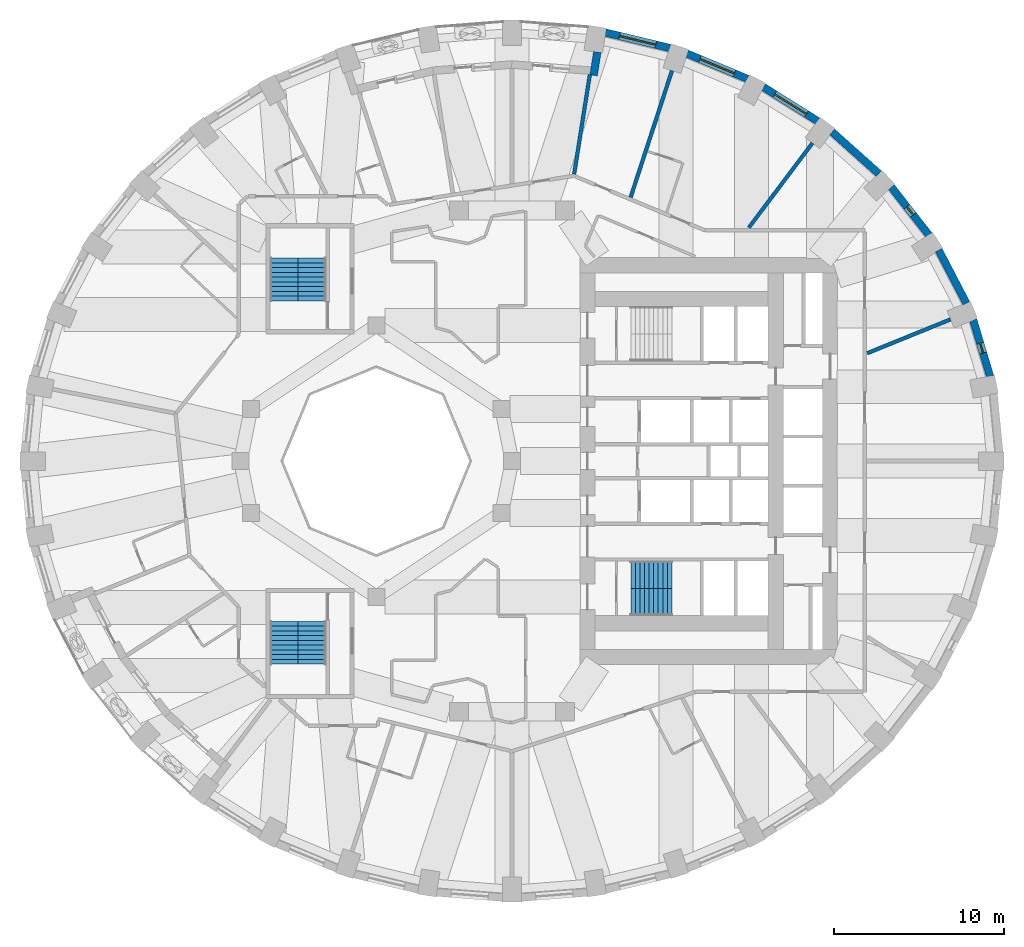
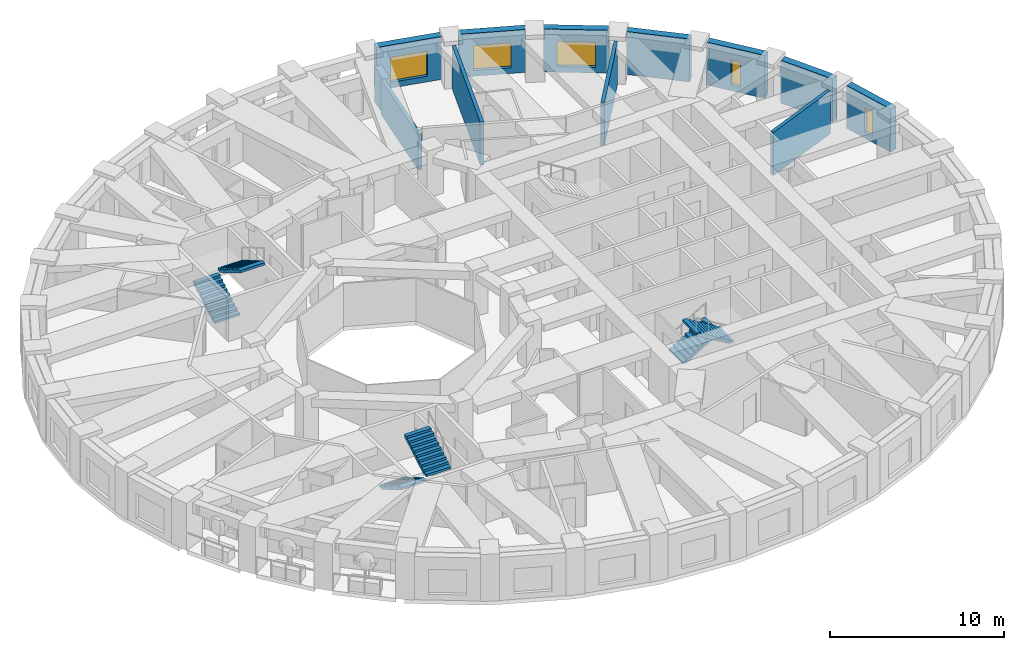
# One storey, part 9 of 13: 12 walls, 6 stair flights, 5 windows, 5 openings, 3 elements without a shape of their own.
"""IFC4 building model written with IfcOpenShell, lengths in metres."""

from ifc_helpers import new_model, si_unit, direction, frame, frame_2d, origin, place, context, subcontext, project, spatial, polyline, rectangle, outline, extrude, material, layer, layer_set, type_object, element, fill, aggregate, save


model = new_model("IFC4")

# Units and contexts
model_context = context("Model", 3, precision=1e-05, world=origin(), true_north=direction((0.0, 1.0)))
body_context = subcontext(model_context, "Body", "Model", "MODEL_VIEW")
ifc_project = project(units=[si_unit("LENGTHUNIT", "METRE"), si_unit("AREAUNIT", "SQUARE_METRE"), si_unit("VOLUMEUNIT", "CUBIC_METRE"), si_unit("PLANEANGLEUNIT", "RADIAN"), si_unit("MASSUNIT", "GRAM", prefix="KILO")], contexts=[model_context])

# Site, building, storey
site_placement = place(None, origin())
site = spatial("IfcSite", under=ifc_project, at=site_placement, CompositionType="ELEMENT")
building_placement = place(site_placement, origin())
building = spatial("IfcBuilding", under=site, at=building_placement, Name="Taillehof Tower", CompositionType="ELEMENT")
storey_placement = place(building_placement, frame((0.0, 0.0, 51.39990234375)))
storey = spatial("IfcBuildingStorey", under=building, at=storey_placement, Name="L13", CompositionType="ELEMENT", Elevation=51.39990234375)

# Wall, opening, window
ifc_material_1 = material(Name="Brick masonry", Category="masonry")
ifc_layer_1 = layer(ifc_material_1, 0.449951171875)
ifc_layer_set_1 = layer_set([ifc_layer_1], Name="Brick infill wall 450")
wall_type_1 = type_object("IfcWallType", Name="Brick infill wall 450", PredefinedType="SOLIDWALL", material=ifc_layer_set_1)
wall_1_placement = place(storey_placement, frame((28.181884765625, 4.995849609375, 0.0), z_axis=(0.0, 0.0, 1.0), x_axis=(-0.287064133733, 0.957911364963, 0.0)))
wall_1 = element("IfcWall", 1, at=wall_1_placement, inside=storey, type_object=wall_type_1, Name="Brick wall L13 bay 2", PredefinedType="SOLIDWALL", context=body_context, shape_type="SweptSolid", body=[
    extrude(rectangle(XDim=3.473388671875, YDim=0.449951171875, at=frame_2d((1.73681640625, 0.0))), origin(), (0.0, 0.0, 1.0), 3.02001953125),
])
opening_1_placement = place(wall_1_placement, frame((1.436767578125, 0.0, 0.39990234375)))
opening_1 = element("IfcOpeningElement", 2, at=opening_1_placement, cuts=wall_1, Name="Opening W6", PredefinedType="OPENING", context=body_context, shape_type="SweptSolid", body=[
    extrude(rectangle(XDim=0.60009765625, YDim=1.75, at=frame_2d((0.300048828125, 0.875))), frame((0.0, 0.23486328125, 0.0), z_axis=(0.0, -1.0, 0.0), x_axis=(1.0, 0.0, 0.0)), (0.0, 0.0, 1.0), 0.469970703125),
])
ifc_material_2 = material(Name="Aluminium window frame with clear double glazing", Category="aluminium")
window_type_1 = type_object("IfcWindowType", Name="Slot window 600x1750", PartitioningType="SINGLE_PANEL", PredefinedType="WINDOW", material=ifc_material_2)
window_1_placement = place(opening_1_placement, origin())
window_1 = element("IfcWindow", 3, at=window_1_placement, inside=storey, type_object=window_type_1, Name="W6", OverallHeight=1.75, OverallWidth=0.60009765625, PartitioningType="SINGLE_PANEL", PredefinedType="WINDOW", context=body_context, shape_type="SweptSolid", body=[
    extrude(rectangle(XDim=0.60009765625, YDim=1.75, at=frame_2d((0.300048828125, 0.875))), frame((0.0, 0.034912109375, 0.0), z_axis=(0.0, -1.0, 0.0), x_axis=(1.0, 0.0, 0.0)), (0.0, 0.0, 1.0), 0.06005859375),
])
fill(opening_1, window_1)

# Wall
wall_2_placement = place(storey_placement, frame((26.78564453125, 9.30517578125, 0.0), z_axis=(0.0, 0.0, 1.0), x_axis=(-0.462492775226, 0.886623050041, 0.0)))
element("IfcWall", 4, at=wall_2_placement, inside=storey, type_object=wall_type_1, Name="Brick wall L13 bay 3", PredefinedType="SOLIDWALL", context=body_context, shape_type="SweptSolid", body=[
    extrude(rectangle(XDim=3.531982421875, YDim=0.449951171875, at=frame_2d((1.76611328125, 0.0))), origin(), (0.0, 0.0, 1.0), 3.02001953125),
])

# Wall, opening, window
wall_3_placement = place(storey_placement, frame((24.57763671875, 13.327880859375, 0.0), z_axis=(0.0, 0.0, 1.0), x_axis=(-0.616661975264, 0.787228053529, 0.0)))
wall_3 = element("IfcWall", 5, at=wall_3_placement, inside=storey, type_object=wall_type_1, Name="Brick wall L13 bay 4", PredefinedType="SOLIDWALL", context=body_context, shape_type="SweptSolid", body=[
    extrude(rectangle(XDim=3.60986328125, YDim=0.449951171875, at=frame_2d((1.804931640625, 0.0))), origin(), (0.0, 0.0, 1.0), 3.02001953125),
])
opening_2_placement = place(wall_3_placement, frame((1.5048828125, 0.0, 0.39990234375)))
opening_2 = element("IfcOpeningElement", 6, at=opening_2_placement, cuts=wall_3, Name="Opening W6", PredefinedType="OPENING", context=body_context, shape_type="SweptSolid", body=[
    extrude(rectangle(XDim=0.60009765625, YDim=1.75, at=frame_2d((0.300048828125, 0.875))), frame((0.0, 0.23486328125, 0.0), z_axis=(0.0, -1.0, 0.0), x_axis=(1.0, 0.0, 0.0)), (0.0, 0.0, 1.0), 0.469970703125),
])
window_2_placement = place(opening_2_placement, origin())
window_2 = element("IfcWindow", 7, at=window_2_placement, inside=storey, type_object=window_type_1, Name="W6", OverallHeight=1.75, OverallWidth=0.60009765625, PartitioningType="SINGLE_PANEL", PredefinedType="WINDOW", context=body_context, shape_type="SweptSolid", body=[
    extrude(rectangle(XDim=0.60009765625, YDim=1.75, at=frame_2d((0.300048828125, 0.875))), frame((0.0, 0.034912109375, 0.0), z_axis=(0.0, -1.0, 0.0), x_axis=(1.0, 0.0, 0.0)), (0.0, 0.0, 1.0), 0.06005859375),
])
fill(opening_2, window_2)

# Wall
wall_4_placement = place(storey_placement, frame((21.626708984375, 16.943115234375, 0.0), z_axis=(0.0, 0.0, 1.0), x_axis=(-0.745526233716, 0.66647628228, 0.0)))
element("IfcWall", 8, at=wall_4_placement, inside=storey, type_object=wall_type_1, Name="Brick wall L13 bay 5", PredefinedType="SOLIDWALL", context=body_context, shape_type="SweptSolid", body=[
    extrude(rectangle(XDim=3.69677734375, YDim=0.449951171875, at=frame_2d((1.848388671875, 0.0))), origin(), (0.0, 0.0, 1.0), 3.02001953125),
])

# Wall, opening, window
wall_5_placement = place(storey_placement, frame((18.02294921875, 20.043701171875, 0.0), z_axis=(0.0, 0.0, 1.0), x_axis=(-0.847635480093, 0.530579016629, 0.0)))
wall_5 = element("IfcWall", 9, at=wall_5_placement, inside=storey, type_object=wall_type_1, Name="Brick wall L13 bay 6", PredefinedType="SOLIDWALL", context=body_context, shape_type="SweptSolid", body=[
    extrude(rectangle(XDim=3.782470703125, YDim=0.449951171875, at=frame_2d((1.89111328125, 0.0))), origin(), (0.0, 0.0, 1.0), 3.02001953125),
])
opening_3_placement = place(wall_5_placement, frame((0.791259765625, 0.0, 0.39990234375)))
opening_3 = element("IfcOpeningElement", 10, at=opening_3_placement, cuts=wall_5, Name="Opening W1", PredefinedType="OPENING", context=body_context, shape_type="SweptSolid", body=[
    extrude(rectangle(XDim=2.199951171875, YDim=1.75, at=frame_2d((1.10009765625, 0.875))), frame((0.0, 0.23486328125, 0.0), z_axis=(0.0, -1.0, 0.0), x_axis=(1.0, 0.0, 0.0)), (0.0, 0.0, 1.0), 0.469970703125),
])
ifc_material_3 = material(Name="Aluminium window frame with clear double glazing", Category="aluminium")
window_type_2 = type_object("IfcWindowType", Name="Deep-set window 2200x1750", PartitioningType="SINGLE_PANEL", PredefinedType="WINDOW", material=ifc_material_3)
window_3_placement = place(opening_3_placement, origin())
window_3 = element("IfcWindow", 11, at=window_3_placement, inside=storey, type_object=window_type_2, Name="W1", OverallHeight=1.75, OverallWidth=2.199951171875, PartitioningType="SINGLE_PANEL", PredefinedType="WINDOW", context=body_context, shape_type="SweptSolid", body=[
    extrude(rectangle(XDim=2.199951171875, YDim=1.75, at=frame_2d((1.10009765625, 0.875))), frame((0.0, 0.034912109375, 0.0), z_axis=(0.0, -1.0, 0.0), x_axis=(1.0, 0.0, 0.0)), (0.0, 0.0, 1.0), 0.06005859375),
])
fill(opening_3, window_3)

wall_6_placement = place(storey_placement, frame((13.875, 22.537353515625, 0.0), z_axis=(0.0, 0.0, 1.0), x_axis=(-0.923031964282, 0.384723267966, 0.0)))
wall_6 = element("IfcWall", 12, at=wall_6_placement, inside=storey, type_object=wall_type_1, Name="Brick wall L13 bay 7", PredefinedType="SOLIDWALL", context=body_context, shape_type="SweptSolid", body=[
    extrude(rectangle(XDim=3.8564453125, YDim=0.449951171875, at=frame_2d((1.92822265625, 0.0))), origin(), (0.0, 0.0, 1.0), 3.02001953125),
])
opening_4_placement = place(wall_6_placement, frame((0.828125, 0.0, 0.39990234375)))
opening_4 = element("IfcOpeningElement", 13, at=opening_4_placement, cuts=wall_6, Name="Opening W1", PredefinedType="OPENING", context=body_context, shape_type="SweptSolid", body=[
    extrude(rectangle(XDim=2.199951171875, YDim=1.75, at=frame_2d((1.10009765625, 0.875))), frame((0.0, 0.23486328125, 0.0), z_axis=(0.0, -1.0, 0.0), x_axis=(1.0, 0.0, 0.0)), (0.0, 0.0, 1.0), 0.469970703125),
])
window_4_placement = place(opening_4_placement, origin())
window_4 = element("IfcWindow", 14, at=window_4_placement, inside=storey, type_object=window_type_2, Name="W1", OverallHeight=1.75, OverallWidth=2.199951171875, PartitioningType="SINGLE_PANEL", PredefinedType="WINDOW", context=body_context, shape_type="SweptSolid", body=[
    extrude(rectangle(XDim=2.199951171875, YDim=1.75, at=frame_2d((1.10009765625, 0.875))), frame((0.0, 0.034912109375, 0.0), z_axis=(0.0, -1.0, 0.0), x_axis=(1.0, 0.0, 0.0)), (0.0, 0.0, 1.0), 0.06005859375),
])
fill(opening_4, window_4)

wall_7_placement = place(storey_placement, frame((9.3076171875, 24.349609375, 0.0), z_axis=(0.0, 0.0, 1.0), x_axis=(-0.972496561493, 0.232917233979, 0.0)))
wall_7 = element("IfcWall", 15, at=wall_7_placement, inside=storey, type_object=wall_type_1, Name="Brick wall L13 bay 8", PredefinedType="SOLIDWALL", context=body_context, shape_type="SweptSolid", body=[
    extrude(rectangle(XDim=3.910888671875, YDim=0.449951171875, at=frame_2d((1.95556640625, 0.0))), origin(), (0.0, 0.0, 1.0), 3.02001953125),
])
opening_5_placement = place(wall_7_placement, frame((0.855224609375, 0.0, 0.39990234375)))
opening_5 = element("IfcOpeningElement", 16, at=opening_5_placement, cuts=wall_7, Name="Opening W1", PredefinedType="OPENING", context=body_context, shape_type="SweptSolid", body=[
    extrude(rectangle(XDim=2.199951171875, YDim=1.75, at=frame_2d((1.10009765625, 0.875))), frame((0.0, 0.23486328125, 0.0), z_axis=(0.0, -1.0, 0.0), x_axis=(1.0, 0.0, 0.0)), (0.0, 0.0, 1.0), 0.469970703125),
])
window_5_placement = place(opening_5_placement, origin())
window_5 = element("IfcWindow", 17, at=window_5_placement, inside=storey, type_object=window_type_2, Name="W1", OverallHeight=1.75, OverallWidth=2.199951171875, PartitioningType="SINGLE_PANEL", PredefinedType="WINDOW", context=body_context, shape_type="SweptSolid", body=[
    extrude(rectangle(XDim=2.199951171875, YDim=1.75, at=frame_2d((1.10009765625, 0.875))), frame((0.0, 0.034912109375, 0.0), z_axis=(0.0, -1.0, 0.0), x_axis=(1.0, 0.0, 0.0)), (0.0, 0.0, 1.0), 0.06005859375),
])
fill(opening_5, window_5)

# Walls
wall_8_placement = place(storey_placement, frame((5.02685546875, 24.108154296875, 0.0), z_axis=(0.0, 0.0, 1.0), x_axis=(-0.156133927791, -0.98773589415, 0.0)))
element("IfcWall", 18, at=wall_8_placement, inside=storey, type_object=wall_type_1, Name="Brick reveal L13 pocket 2", PredefinedType="SOLIDWALL", context=body_context, shape_type="SweptSolid", body=[
    extrude(rectangle(XDim=1.39013671875, YDim=0.449951171875, at=frame_2d((0.695068359375, 0.0))), origin(), (0.0, 0.0, 1.0), 2.47021484375),
])
ifc_material_4 = material(Name="Gypsum board on double steel studs with mineral wool", Category="steel")
ifc_layer_2 = layer(ifc_material_4, 0.219970703125)
ifc_layer_set_2 = layer_set([ifc_layer_2], Name="Compartment wall guest room 220")
wall_type_2 = type_object("IfcWallType", Name="Compartment wall guest room 220", PredefinedType="PARTITIONING", material=ifc_layer_set_2)
wall_9_placement = place(storey_placement, frame((25.851318359375, 8.35400390625, 0.0), z_axis=(0.0, 0.0, 1.0), x_axis=(-0.926546814299, -0.376179479653, 0.0)))
element("IfcWall", 19, at=wall_9_placement, inside=storey, type_object=wall_type_2, Name="Compartment wall", PredefinedType="PARTITIONING", context=body_context, shape_type="SweptSolid", body=[
    extrude(rectangle(XDim=5.3037109375, YDim=0.219970703125, at=frame_2d((2.65185546875, 0.0))), origin(), (0.0, 0.0, 1.0), 3.02001953125),
])
wall_10_placement = place(storey_placement, frame((17.707763671875, 18.7431640625, 0.0), z_axis=(0.0, 0.0, 1.0), x_axis=(-0.601177883261, -0.799115231164, 0.0)))
element("IfcWall", 20, at=wall_10_placement, inside=storey, type_object=wall_type_2, Name="Compartment wall", PredefinedType="PARTITIONING", context=body_context, shape_type="SweptSolid", body=[
    extrude(rectangle(XDim=6.231201171875, YDim=0.219970703125, at=frame_2d((3.11572265625, 0.0))), origin(), (0.0, 0.0, 1.0), 3.02001953125),
])
wall_11_placement = place(storey_placement, frame((9.429443359375, 23.01416015625, 0.0), z_axis=(0.0, 0.0, 1.0), x_axis=(-0.310230839568, -0.950661257326, 0.0)))
element("IfcWall", 21, at=wall_11_placement, inside=storey, type_object=wall_type_2, Name="Compartment wall", PredefinedType="PARTITIONING", context=body_context, shape_type="SweptSolid", body=[
    extrude(rectangle(XDim=7.84912109375, YDim=0.219970703125, at=frame_2d((3.924560546875, 0.0))), origin(), (0.0, 0.0, 1.0), 3.02001953125),
])
wall_12_placement = place(storey_placement, frame((4.590576171875, 22.78857421875, 0.0), z_axis=(0.0, 0.0, 1.0), x_axis=(-0.156126964527, -0.987736994826, 0.0)))
element("IfcWall", 22, at=wall_12_placement, inside=storey, type_object=wall_type_2, Name="Compartment wall", PredefinedType="PARTITIONING", context=body_context, shape_type="SweptSolid", body=[
    extrude(rectangle(XDim=5.948486328125, YDim=0.219970703125, at=frame_2d((2.97412109375, 0.0))), origin(), (0.0, 0.0, 1.0), 2.47021484375),
])

# Stair, stair flights
ifc_material_5 = material(Name="Concrete C40/50", Category="concrete")
stair_type = type_object("IfcStairType", Name="Exit stair half-turn", PredefinedType="HALF_TURN_STAIR", material=ifc_material_5)
stair_1_placement = place(storey_placement, origin())
stair_1 = element("IfcStair", 23, at=stair_1_placement, inside=storey, type_object=stair_type, Name="Exit stair S2", PredefinedType="HALF_TURN_STAIR")
ifc_material_6 = material(Name="Concrete C40/50", Category="concrete")
stair_flight_type_1 = type_object("IfcStairFlightType", Name="Stair flight 1600 riser 165.0 going 270", PredefinedType="STRAIGHT", material=ifc_material_6)
stair_flight_1_placement = place(storey_placement, frame((7.0, -6.699951171875, 0.0), z_axis=(0.0, 0.0, 1.0), x_axis=(1.0, 0.0, 0.0)))
stair_flight_1 = element("IfcStairFlight", 24, at=stair_flight_1_placement, type_object=stair_flight_type_1, Name="S2 flight 1", NumberOfRisers=10, NumberOfTreads=9, PredefinedType="STRAIGHT", RiserHeight=0.165, TreadLength=0.27, context=body_context, shape_type="SweptSolid", body=[
    extrude(outline(polyline([(0.0, 0.0), (0.0, 0.00537109375), (0.0, 0.0107421875), (0.0, 0.015869140625), (0.0, 0.021240234375), (0.0, 0.026611328125), (0.0, 0.031982421875), (0.0, 0.037353515625), (0.0, 0.04248046875), (0.0, 0.0478515625), (0.0, 0.05322265625), (0.0, 0.05859375), (0.0, 0.06396484375), (0.0, 0.069091796875), (0.0, 0.074462890625), (0.0, 0.079833984375), (0.0, 0.085205078125), (0.0, 0.090576171875), (0.0, 0.095703125), (0.0, 0.10107421875), (0.0, 0.1064453125), (0.0, 0.11181640625), (0.0, 0.1171875), (0.0, 0.122314453125), (0.0, 0.127685546875), (0.0, 0.133056640625), (0.0, 0.138427734375), (0.0, 0.143798828125), (0.0, 0.14892578125), (0.0, 0.154296875), (0.0, 0.15966796875), (0.0, 0.1650390625), (0.27001953125, 0.1650390625), (0.27001953125, 0.330078125), (0.5400390625, 0.330078125), (0.5400390625, 0.4951171875), (0.81005859375, 0.4951171875), (0.81005859375, 0.659912109375), (1.080078125, 0.659912109375), (1.080078125, 0.824951171875), (1.35009765625, 0.824951171875), (1.35009765625, 0.989990234375), (1.6201171875, 0.989990234375), (1.6201171875, 1.155029296875), (1.889892578125, 1.155029296875), (1.889892578125, 1.320068359375), (2.159912109375, 1.320068359375), (2.159912109375, 1.485107421875), (2.429931640625, 1.485107421875), (2.429931640625, 1.479248046875), (2.429931640625, 1.4736328125), (2.429931640625, 1.468017578125), (2.429931640625, 1.46240234375), (2.429931640625, 1.45654296875), (2.429931640625, 1.450927734375), (2.429931640625, 1.4453125), (2.429931640625, 1.439697265625), (2.429931640625, 1.43408203125), (2.429931640625, 1.42822265625), (2.429931640625, 1.422607421875), (2.429931640625, 1.4169921875), (2.429931640625, 1.411376953125), (2.429931640625, 1.40576171875), (2.429931640625, 1.39990234375), (2.429931640625, 1.394287109375), (2.429931640625, 1.388671875), (2.429931640625, 1.383056640625), (2.429931640625, 1.37744140625), (2.429931640625, 1.37158203125), (2.429931640625, 1.365966796875), (2.429931640625, 1.3603515625), (2.429931640625, 1.354736328125), (2.429931640625, 1.348876953125), (2.429931640625, 1.34326171875), (2.429931640625, 1.337646484375), (2.429931640625, 1.33203125), (2.429931640625, 1.326416015625), (2.429931640625, 1.320556640625), (2.429931640625, 1.31494140625), (2.429931640625, 1.309326171875), (0.287353515625, 0.0), (0.0, 0.0)])), frame((0.0, 0.800048828125, 0.0), z_axis=(0.0, -1.0, 0.0), x_axis=(1.0, 0.0, 0.0)), (0.0, 0.0, 1.0), 1.6),
])
stair_flight_2_placement = place(storey_placement, frame((9.429931640625, -8.300048828125, 1.650146484375), z_axis=(0.0, 0.0, 1.0), x_axis=(-1.0, 0.0, 0.0)))
stair_flight_2 = element("IfcStairFlight", 25, at=stair_flight_2_placement, type_object=stair_flight_type_1, Name="S2 flight 2", NumberOfRisers=10, NumberOfTreads=9, PredefinedType="STRAIGHT", RiserHeight=0.165, TreadLength=0.27, context=body_context, shape_type="SweptSolid", body=[
    extrude(outline(polyline([(0.0, 0.0), (0.0, 0.00537109375), (0.0, 0.0107421875), (0.0, 0.015869140625), (0.0, 0.021240234375), (0.0, 0.026611328125), (0.0, 0.031982421875), (0.0, 0.037353515625), (0.0, 0.04248046875), (0.0, 0.0478515625), (0.0, 0.05322265625), (0.0, 0.05859375), (0.0, 0.06396484375), (0.0, 0.069091796875), (0.0, 0.074462890625), (0.0, 0.079833984375), (0.0, 0.085205078125), (0.0, 0.090576171875), (0.0, 0.095703125), (0.0, 0.10107421875), (0.0, 0.1064453125), (0.0, 0.11181640625), (0.0, 0.1171875), (0.0, 0.122314453125), (0.0, 0.127685546875), (0.0, 0.133056640625), (0.0, 0.138427734375), (0.0, 0.143798828125), (0.0, 0.14892578125), (0.0, 0.154296875), (0.0, 0.15966796875), (0.0, 0.1650390625), (0.27001953125, 0.1650390625), (0.27001953125, 0.330078125), (0.5400390625, 0.330078125), (0.5400390625, 0.4951171875), (0.81005859375, 0.4951171875), (0.81005859375, 0.659912109375), (1.080078125, 0.659912109375), (1.080078125, 0.824951171875), (1.35009765625, 0.824951171875), (1.35009765625, 0.989990234375), (1.6201171875, 0.989990234375), (1.6201171875, 1.155029296875), (1.889892578125, 1.155029296875), (1.889892578125, 1.320068359375), (2.159912109375, 1.320068359375), (2.159912109375, 1.485107421875), (2.429931640625, 1.485107421875), (2.429931640625, 1.479248046875), (2.429931640625, 1.4736328125), (2.429931640625, 1.468017578125), (2.429931640625, 1.46240234375), (2.429931640625, 1.45654296875), (2.429931640625, 1.450927734375), (2.429931640625, 1.4453125), (2.429931640625, 1.439697265625), (2.429931640625, 1.43408203125), (2.429931640625, 1.42822265625), (2.429931640625, 1.422607421875), (2.429931640625, 1.4169921875), (2.429931640625, 1.411376953125), (2.429931640625, 1.40576171875), (2.429931640625, 1.39990234375), (2.429931640625, 1.394287109375), (2.429931640625, 1.388671875), (2.429931640625, 1.383056640625), (2.429931640625, 1.37744140625), (2.429931640625, 1.37158203125), (2.429931640625, 1.365966796875), (2.429931640625, 1.3603515625), (2.429931640625, 1.354736328125), (2.429931640625, 1.348876953125), (2.429931640625, 1.34326171875), (2.429931640625, 1.337646484375), (2.429931640625, 1.33203125), (2.429931640625, 1.326416015625), (2.429931640625, 1.320556640625), (2.429931640625, 1.31494140625), (2.429931640625, 1.309326171875), (0.287353515625, 0.0), (0.0, 0.0)])), frame((0.0, 0.800048828125, 0.0), z_axis=(0.0, -1.0, 0.0), x_axis=(1.0, 0.0, 0.0)), (0.0, 0.0, 1.0), 1.6),
])
aggregate(stair_1, [stair_flight_1, stair_flight_2])

stair_2_placement = place(storey_placement, origin())
stair_2 = element("IfcStair", 26, at=stair_2_placement, inside=storey, type_object=stair_type, Name="Exit stair S3", PredefinedType="HALF_TURN_STAIR")
ifc_material_7 = material(Name="Concrete C40/50", Category="concrete")
stair_flight_type_2 = type_object("IfcStairFlightType", Name="Stair flight 1650 riser 165.0 going 280", PredefinedType="STRAIGHT", material=ifc_material_7)
stair_flight_3_placement = place(storey_placement, frame((-13.425048828125, 9.449951171875, 0.0), z_axis=(0.0, 0.0, 1.0), x_axis=(0.0, 1.0, 0.0)))
stair_flight_3 = element("IfcStairFlight", 27, at=stair_flight_3_placement, type_object=stair_flight_type_2, Name="S3 flight 1", NumberOfRisers=10, NumberOfTreads=9, PredefinedType="STRAIGHT", RiserHeight=0.165, TreadLength=0.28, context=body_context, shape_type="SweptSolid", body=[
    extrude(outline(polyline([(0.0, 0.0), (0.0, 0.00537109375), (0.0, 0.0107421875), (0.0, 0.015869140625), (0.0, 0.021240234375), (0.0, 0.026611328125), (0.0, 0.031982421875), (0.0, 0.037353515625), (0.0, 0.04248046875), (0.0, 0.0478515625), (0.0, 0.05322265625), (0.0, 0.05859375), (0.0, 0.06396484375), (0.0, 0.069091796875), (0.0, 0.074462890625), (0.0, 0.079833984375), (0.0, 0.085205078125), (0.0, 0.090576171875), (0.0, 0.095703125), (0.0, 0.10107421875), (0.0, 0.1064453125), (0.0, 0.11181640625), (0.0, 0.1171875), (0.0, 0.122314453125), (0.0, 0.127685546875), (0.0, 0.133056640625), (0.0, 0.138427734375), (0.0, 0.143798828125), (0.0, 0.14892578125), (0.0, 0.154296875), (0.0, 0.15966796875), (0.0, 0.1650390625), (0.280029296875, 0.1650390625), (0.280029296875, 0.330078125), (0.56005859375, 0.330078125), (0.56005859375, 0.4951171875), (0.840087890625, 0.4951171875), (0.840087890625, 0.659912109375), (1.1201171875, 0.659912109375), (1.1201171875, 0.824951171875), (1.39990234375, 0.824951171875), (1.39990234375, 0.989990234375), (1.679931640625, 0.989990234375), (1.679931640625, 1.155029296875), (1.9599609375, 1.155029296875), (1.9599609375, 1.320068359375), (2.239990234375, 1.320068359375), (2.239990234375, 1.485107421875), (2.52001953125, 1.485107421875), (2.52001953125, 1.4794921875), (2.52001953125, 1.473876953125), (2.52001953125, 1.46826171875), (2.52001953125, 1.462646484375), (2.52001953125, 1.45703125), (2.52001953125, 1.451416015625), (2.52001953125, 1.44580078125), (2.52001953125, 1.440185546875), (2.52001953125, 1.4345703125), (2.52001953125, 1.428955078125), (2.52001953125, 1.42333984375), (2.52001953125, 1.417724609375), (2.52001953125, 1.412109375), (2.52001953125, 1.406494140625), (2.52001953125, 1.40087890625), (2.52001953125, 1.395263671875), (2.52001953125, 1.3896484375), (2.52001953125, 1.384033203125), (2.52001953125, 1.37841796875), (2.52001953125, 1.372802734375), (2.52001953125, 1.3671875), (2.52001953125, 1.361572265625), (2.52001953125, 1.35595703125), (2.52001953125, 1.350341796875), (2.52001953125, 1.3447265625), (2.52001953125, 1.339111328125), (2.52001953125, 1.33349609375), (2.52001953125, 1.327880859375), (2.52001953125, 1.322265625), (2.52001953125, 1.316650390625), (2.52001953125, 1.31103515625), (0.295166015625, 0.0), (0.0, 0.0)])), frame((0.0, 0.824951171875, 0.0), z_axis=(0.0, -1.0, 0.0), x_axis=(1.0, 0.0, 0.0)), (0.0, 0.0, 1.0), 1.65),
])
stair_flight_4_placement = place(storey_placement, frame((-11.77490234375, 11.969970703125, 1.650146484375), z_axis=(0.0, 0.0, 1.0), x_axis=(0.0, -1.0, 0.0)))
stair_flight_4 = element("IfcStairFlight", 28, at=stair_flight_4_placement, type_object=stair_flight_type_2, Name="S3 flight 2", NumberOfRisers=10, NumberOfTreads=9, PredefinedType="STRAIGHT", RiserHeight=0.165, TreadLength=0.28, context=body_context, shape_type="SweptSolid", body=[
    extrude(outline(polyline([(0.0, 0.0), (0.0, 0.00537109375), (0.0, 0.0107421875), (0.0, 0.015869140625), (0.0, 0.021240234375), (0.0, 0.026611328125), (0.0, 0.031982421875), (0.0, 0.037353515625), (0.0, 0.04248046875), (0.0, 0.0478515625), (0.0, 0.05322265625), (0.0, 0.05859375), (0.0, 0.06396484375), (0.0, 0.069091796875), (0.0, 0.074462890625), (0.0, 0.079833984375), (0.0, 0.085205078125), (0.0, 0.090576171875), (0.0, 0.095703125), (0.0, 0.10107421875), (0.0, 0.1064453125), (0.0, 0.11181640625), (0.0, 0.1171875), (0.0, 0.122314453125), (0.0, 0.127685546875), (0.0, 0.133056640625), (0.0, 0.138427734375), (0.0, 0.143798828125), (0.0, 0.14892578125), (0.0, 0.154296875), (0.0, 0.15966796875), (0.0, 0.1650390625), (0.280029296875, 0.1650390625), (0.280029296875, 0.330078125), (0.56005859375, 0.330078125), (0.56005859375, 0.4951171875), (0.840087890625, 0.4951171875), (0.840087890625, 0.659912109375), (1.1201171875, 0.659912109375), (1.1201171875, 0.824951171875), (1.39990234375, 0.824951171875), (1.39990234375, 0.989990234375), (1.679931640625, 0.989990234375), (1.679931640625, 1.155029296875), (1.9599609375, 1.155029296875), (1.9599609375, 1.320068359375), (2.239990234375, 1.320068359375), (2.239990234375, 1.485107421875), (2.52001953125, 1.485107421875), (2.52001953125, 1.4794921875), (2.52001953125, 1.473876953125), (2.52001953125, 1.46826171875), (2.52001953125, 1.462646484375), (2.52001953125, 1.45703125), (2.52001953125, 1.451416015625), (2.52001953125, 1.44580078125), (2.52001953125, 1.440185546875), (2.52001953125, 1.4345703125), (2.52001953125, 1.428955078125), (2.52001953125, 1.42333984375), (2.52001953125, 1.417724609375), (2.52001953125, 1.412109375), (2.52001953125, 1.406494140625), (2.52001953125, 1.40087890625), (2.52001953125, 1.395263671875), (2.52001953125, 1.3896484375), (2.52001953125, 1.384033203125), (2.52001953125, 1.37841796875), (2.52001953125, 1.372802734375), (2.52001953125, 1.3671875), (2.52001953125, 1.361572265625), (2.52001953125, 1.35595703125), (2.52001953125, 1.350341796875), (2.52001953125, 1.3447265625), (2.52001953125, 1.339111328125), (2.52001953125, 1.33349609375), (2.52001953125, 1.327880859375), (2.52001953125, 1.322265625), (2.52001953125, 1.316650390625), (2.52001953125, 1.31103515625), (0.295166015625, 0.0), (0.0, 0.0)])), frame((0.0, 0.824951171875, 0.0), z_axis=(0.0, -1.0, 0.0), x_axis=(1.0, 0.0, 0.0)), (0.0, 0.0, 1.0), 1.65),
])
aggregate(stair_2, [stair_flight_3, stair_flight_4])

stair_3_placement = place(storey_placement, origin())
stair_3 = element("IfcStair", 29, at=stair_3_placement, inside=storey, type_object=stair_type, Name="Exit stair S4", PredefinedType="HALF_TURN_STAIR")
stair_flight_5_placement = place(storey_placement, frame((-13.425048828125, -9.449951171875, 0.0), z_axis=(0.0, 0.0, 1.0), x_axis=(0.0, -1.0, 0.0)))
stair_flight_5 = element("IfcStairFlight", 30, at=stair_flight_5_placement, type_object=stair_flight_type_2, Name="S4 flight 1", NumberOfRisers=10, NumberOfTreads=9, PredefinedType="STRAIGHT", RiserHeight=0.165, TreadLength=0.28, context=body_context, shape_type="SweptSolid", body=[
    extrude(outline(polyline([(0.0, 0.0), (0.0, 0.00537109375), (0.0, 0.0107421875), (0.0, 0.015869140625), (0.0, 0.021240234375), (0.0, 0.026611328125), (0.0, 0.031982421875), (0.0, 0.037353515625), (0.0, 0.04248046875), (0.0, 0.0478515625), (0.0, 0.05322265625), (0.0, 0.05859375), (0.0, 0.06396484375), (0.0, 0.069091796875), (0.0, 0.074462890625), (0.0, 0.079833984375), (0.0, 0.085205078125), (0.0, 0.090576171875), (0.0, 0.095703125), (0.0, 0.10107421875), (0.0, 0.1064453125), (0.0, 0.11181640625), (0.0, 0.1171875), (0.0, 0.122314453125), (0.0, 0.127685546875), (0.0, 0.133056640625), (0.0, 0.138427734375), (0.0, 0.143798828125), (0.0, 0.14892578125), (0.0, 0.154296875), (0.0, 0.15966796875), (0.0, 0.1650390625), (0.280029296875, 0.1650390625), (0.280029296875, 0.330078125), (0.56005859375, 0.330078125), (0.56005859375, 0.4951171875), (0.840087890625, 0.4951171875), (0.840087890625, 0.659912109375), (1.1201171875, 0.659912109375), (1.1201171875, 0.824951171875), (1.39990234375, 0.824951171875), (1.39990234375, 0.989990234375), (1.679931640625, 0.989990234375), (1.679931640625, 1.155029296875), (1.9599609375, 1.155029296875), (1.9599609375, 1.320068359375), (2.239990234375, 1.320068359375), (2.239990234375, 1.485107421875), (2.52001953125, 1.485107421875), (2.52001953125, 1.4794921875), (2.52001953125, 1.473876953125), (2.52001953125, 1.46826171875), (2.52001953125, 1.462646484375), (2.52001953125, 1.45703125), (2.52001953125, 1.451416015625), (2.52001953125, 1.44580078125), (2.52001953125, 1.440185546875), (2.52001953125, 1.4345703125), (2.52001953125, 1.428955078125), (2.52001953125, 1.42333984375), (2.52001953125, 1.417724609375), (2.52001953125, 1.412109375), (2.52001953125, 1.406494140625), (2.52001953125, 1.40087890625), (2.52001953125, 1.395263671875), (2.52001953125, 1.3896484375), (2.52001953125, 1.384033203125), (2.52001953125, 1.37841796875), (2.52001953125, 1.372802734375), (2.52001953125, 1.3671875), (2.52001953125, 1.361572265625), (2.52001953125, 1.35595703125), (2.52001953125, 1.350341796875), (2.52001953125, 1.3447265625), (2.52001953125, 1.339111328125), (2.52001953125, 1.33349609375), (2.52001953125, 1.327880859375), (2.52001953125, 1.322265625), (2.52001953125, 1.316650390625), (2.52001953125, 1.31103515625), (0.295166015625, 0.0), (0.0, 0.0)])), frame((0.0, 0.824951171875, 0.0), z_axis=(0.0, -1.0, 0.0), x_axis=(1.0, 0.0, 0.0)), (0.0, 0.0, 1.0), 1.65),
])
stair_flight_6_placement = place(storey_placement, frame((-11.77490234375, -11.969970703125, 1.650146484375), z_axis=(0.0, 0.0, 1.0), x_axis=(0.0, 1.0, 0.0)))
stair_flight_6 = element("IfcStairFlight", 31, at=stair_flight_6_placement, type_object=stair_flight_type_2, Name="S4 flight 2", NumberOfRisers=10, NumberOfTreads=9, PredefinedType="STRAIGHT", RiserHeight=0.165, TreadLength=0.28, context=body_context, shape_type="SweptSolid", body=[
    extrude(outline(polyline([(0.0, 0.0), (0.0, 0.00537109375), (0.0, 0.0107421875), (0.0, 0.015869140625), (0.0, 0.021240234375), (0.0, 0.026611328125), (0.0, 0.031982421875), (0.0, 0.037353515625), (0.0, 0.04248046875), (0.0, 0.0478515625), (0.0, 0.05322265625), (0.0, 0.05859375), (0.0, 0.06396484375), (0.0, 0.069091796875), (0.0, 0.074462890625), (0.0, 0.079833984375), (0.0, 0.085205078125), (0.0, 0.090576171875), (0.0, 0.095703125), (0.0, 0.10107421875), (0.0, 0.1064453125), (0.0, 0.11181640625), (0.0, 0.1171875), (0.0, 0.122314453125), (0.0, 0.127685546875), (0.0, 0.133056640625), (0.0, 0.138427734375), (0.0, 0.143798828125), (0.0, 0.14892578125), (0.0, 0.154296875), (0.0, 0.15966796875), (0.0, 0.1650390625), (0.280029296875, 0.1650390625), (0.280029296875, 0.330078125), (0.56005859375, 0.330078125), (0.56005859375, 0.4951171875), (0.840087890625, 0.4951171875), (0.840087890625, 0.659912109375), (1.1201171875, 0.659912109375), (1.1201171875, 0.824951171875), (1.39990234375, 0.824951171875), (1.39990234375, 0.989990234375), (1.679931640625, 0.989990234375), (1.679931640625, 1.155029296875), (1.9599609375, 1.155029296875), (1.9599609375, 1.320068359375), (2.239990234375, 1.320068359375), (2.239990234375, 1.485107421875), (2.52001953125, 1.485107421875), (2.52001953125, 1.4794921875), (2.52001953125, 1.473876953125), (2.52001953125, 1.46826171875), (2.52001953125, 1.462646484375), (2.52001953125, 1.45703125), (2.52001953125, 1.451416015625), (2.52001953125, 1.44580078125), (2.52001953125, 1.440185546875), (2.52001953125, 1.4345703125), (2.52001953125, 1.428955078125), (2.52001953125, 1.42333984375), (2.52001953125, 1.417724609375), (2.52001953125, 1.412109375), (2.52001953125, 1.406494140625), (2.52001953125, 1.40087890625), (2.52001953125, 1.395263671875), (2.52001953125, 1.3896484375), (2.52001953125, 1.384033203125), (2.52001953125, 1.37841796875), (2.52001953125, 1.372802734375), (2.52001953125, 1.3671875), (2.52001953125, 1.361572265625), (2.52001953125, 1.35595703125), (2.52001953125, 1.350341796875), (2.52001953125, 1.3447265625), (2.52001953125, 1.339111328125), (2.52001953125, 1.33349609375), (2.52001953125, 1.327880859375), (2.52001953125, 1.322265625), (2.52001953125, 1.316650390625), (2.52001953125, 1.31103515625), (0.295166015625, 0.0), (0.0, 0.0)])), frame((0.0, 0.824951171875, 0.0), z_axis=(0.0, -1.0, 0.0), x_axis=(1.0, 0.0, 0.0)), (0.0, 0.0, 1.0), 1.65),
])
aggregate(stair_3, [stair_flight_5, stair_flight_6])

save(model, "model.ifc")
